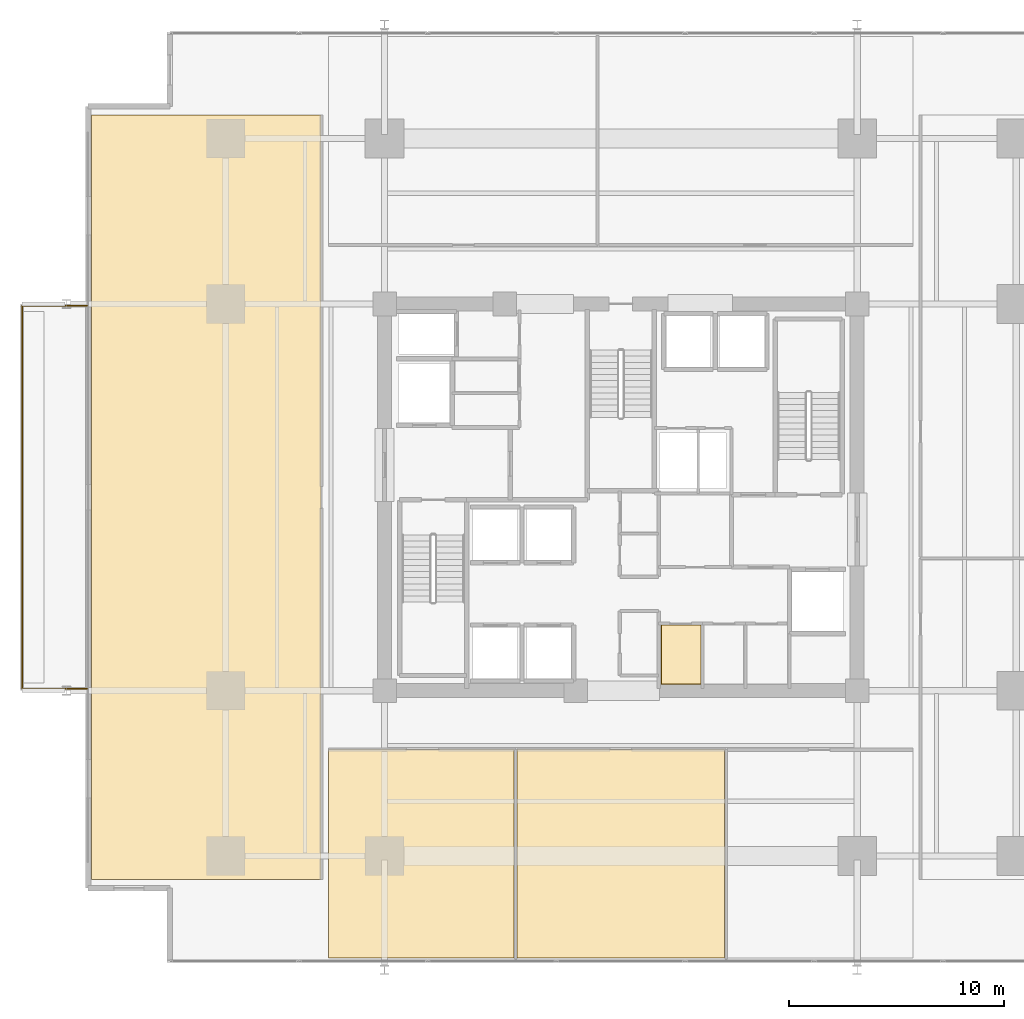
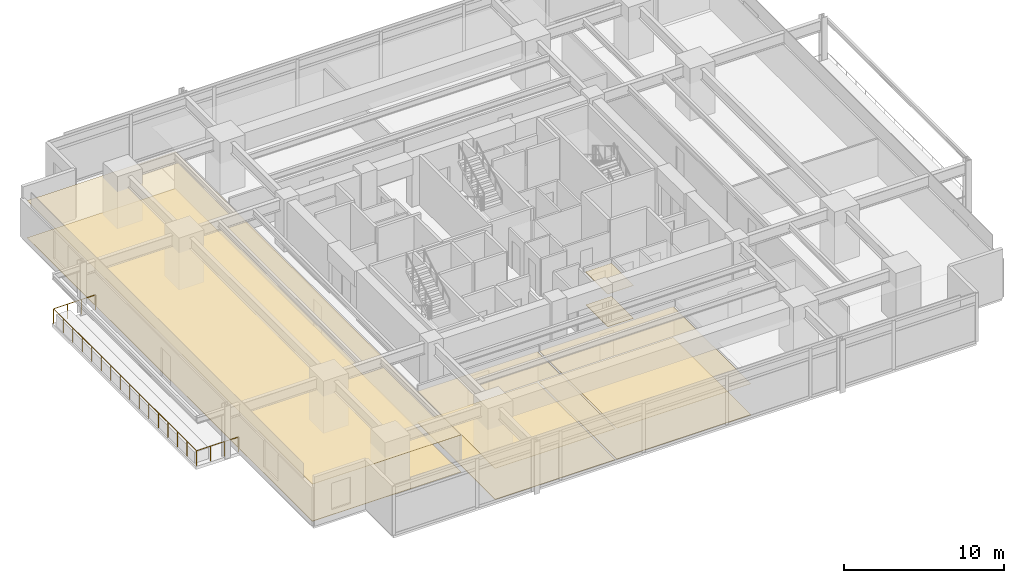
# One storey, part 18 of 21: 8 coverings, 1 railing.
"""IFC4 building model written with IfcOpenShell, lengths in metres."""

from ifc_helpers import new_model, si_unit, direction, frame, origin, origin_2d, place, context, subcontext, project, spatial, polyline, circle, outline, extrude, material, layer, layer_set, type_object, element, save


model = new_model("IFC4")

# Units and contexts
model_context = context("Model", 3, precision=1e-05, world=origin(), true_north=direction((0.0, 1.0)))
body_context = subcontext(model_context, "Body", "Model", "MODEL_VIEW")
ifc_project = project(units=[si_unit("LENGTHUNIT", "METRE"), si_unit("AREAUNIT", "SQUARE_METRE"), si_unit("VOLUMEUNIT", "CUBIC_METRE"), si_unit("PLANEANGLEUNIT", "RADIAN"), si_unit("MASSUNIT", "GRAM", prefix="KILO")], contexts=[model_context])

# Site, building, storey
site_placement = place(None, origin())
site = spatial("IfcSite", under=ifc_project, at=site_placement, CompositionType="ELEMENT")
building_placement = place(site_placement, origin())
building = spatial("IfcBuilding", under=site, at=building_placement, Name="Kovane Verandah Tower", CompositionType="ELEMENT")
storey_placement = place(building_placement, frame((0.0, 0.0, 27.60009765625)))
storey = spatial("IfcBuildingStorey", under=building, at=storey_placement, Name="L05", CompositionType="ELEMENT", Elevation=27.60009765625)

# Coverings
ifc_material_1 = material(Name="Perforated Acoustic Mineral-Fibre Ceiling Tile", Category="gypsum")
ifc_layer_1 = layer(ifc_material_1, 0.02490234375)
ifc_layer_set_1 = layer_set([ifc_layer_1], Name="Perforated Acoustic Mineral-Fibre Ceiling Tile")
covering_type_1 = type_object("IfcCoveringType", Name="CV-CEIL-25", PredefinedType="CEILING", material=ifc_layer_set_1)
covering_1_placement = place(storey_placement, frame((0.0, 0.0, 2.514892578125)))
element("IfcCovering", 1, at=covering_1_placement, inside=storey, type_object=covering_type_1, Name="L05 Mail and Copy Room Acoustic Ceiling", PredefinedType="CEILING", context=body_context, shape_type="SweptSolid", body=[
    extrude(outline(polyline([(41.864990234375, 18.784912109375), (43.735107421875, 18.784912109375), (43.735107421875, 21.56494140625), (41.864990234375, 21.56494140625), (41.864990234375, 18.784912109375)])), origin(), (0.0, 0.0, 1.0), 0.02490234375),
])
covering_2_placement = place(storey_placement, frame((0.0, 0.0, 2.364990234375)))
element("IfcCovering", 2, at=covering_2_placement, inside=storey, type_object=covering_type_1, Name="L05 Client Boardroom S1 Acoustic Ceiling", PredefinedType="CEILING", context=body_context, shape_type="SweptSolid", body=[
    extrude(outline(polyline([(26.39990234375, 6.050048828125), (35.033935546875, 6.050048828125), (35.033935546875, 15.75), (26.39990234375, 15.75), (26.39990234375, 6.050048828125)])), origin(), (0.0, 0.0, 1.0), 0.02490234375),
])
covering_3_placement = place(storey_placement, frame((0.0, 0.0, 2.364990234375)))
element("IfcCovering", 3, at=covering_3_placement, inside=storey, type_object=covering_type_1, Name="L05 Meeting Room S2 Acoustic Ceiling", PredefinedType="CEILING", context=body_context, shape_type="SweptSolid", body=[
    extrude(outline(polyline([(35.174072265625, 6.050048828125), (44.825927734375, 6.050048828125), (44.825927734375, 15.75), (35.174072265625, 15.75), (35.174072265625, 6.050048828125)])), origin(), (0.0, 0.0, 1.0), 0.02490234375),
])
covering_4_placement = place(storey_placement, frame((0.0, 0.0, 2.824951171875)))
element("IfcCovering", 4, at=covering_4_placement, inside=storey, type_object=covering_type_1, Name="L05 Breakout Pantry W1 Acoustic Ceiling", PredefinedType="CEILING", context=body_context, shape_type="SweptSolid", body=[
    extrude(outline(polyline([(15.35009765625, 9.699951171875), (26.050048828125, 9.699951171875), (26.050048828125, 45.300048828125), (15.35009765625, 45.300048828125), (15.35009765625, 9.699951171875)])), origin(), (0.0, 0.0, 1.0), 0.02490234375),
])
ifc_material_2 = material(Name="Polished Terrazzo and Raised-Access Carpet Tile Finish", Category="concrete")
ifc_layer_2 = layer(ifc_material_2, 0.030029296875)
ifc_layer_set_2 = layer_set([ifc_layer_2], Name="Polished Terrazzo and Raised-Access Carpet Tile Finish")
covering_type_2 = type_object("IfcCoveringType", Name="CV-FLOR-30", PredefinedType="FLOORING", material=ifc_layer_set_2)
covering_5_placement = place(storey_placement, origin())
element("IfcCovering", 5, at=covering_5_placement, inside=storey, type_object=covering_type_2, Name="L05 Mail and Copy Room Floor Finish", PredefinedType="FLOORING", context=body_context, shape_type="SweptSolid", body=[
    extrude(outline(polyline([(41.8798828125, 18.800048828125), (43.719970703125, 18.800048828125), (43.719970703125, 21.550048828125), (41.8798828125, 21.550048828125), (41.8798828125, 18.800048828125)])), origin(), (0.0, 0.0, 1.0), 0.02978515625),
])
covering_6_placement = place(storey_placement, origin())
element("IfcCovering", 6, at=covering_6_placement, inside=storey, type_object=covering_type_2, Name="L05 Client Boardroom S1 Floor Finish", PredefinedType="FLOORING", context=body_context, shape_type="SweptSolid", body=[
    extrude(outline(polyline([(26.39990234375, 6.050048828125), (35.033935546875, 6.050048828125), (35.033935546875, 15.75), (26.39990234375, 15.75), (26.39990234375, 6.050048828125)])), origin(), (0.0, 0.0, 1.0), 0.02978515625),
])
covering_7_placement = place(storey_placement, origin())
element("IfcCovering", 7, at=covering_7_placement, inside=storey, type_object=covering_type_2, Name="L05 Meeting Room S2 Floor Finish", PredefinedType="FLOORING", context=body_context, shape_type="SweptSolid", body=[
    extrude(outline(polyline([(35.174072265625, 6.050048828125), (44.825927734375, 6.050048828125), (44.825927734375, 15.75), (35.174072265625, 15.75), (35.174072265625, 6.050048828125)])), origin(), (0.0, 0.0, 1.0), 0.02978515625),
])
covering_8_placement = place(storey_placement, origin())
element("IfcCovering", 8, at=covering_8_placement, inside=storey, type_object=covering_type_2, Name="L05 Breakout Pantry W1 Floor Finish", PredefinedType="FLOORING", context=body_context, shape_type="SweptSolid", body=[
    extrude(outline(polyline([(15.35009765625, 9.699951171875), (26.050048828125, 9.699951171875), (26.050048828125, 45.300048828125), (15.35009765625, 45.300048828125), (15.35009765625, 9.699951171875)])), origin(), (0.0, 0.0, 1.0), 0.02978515625),
])

# Railing
ifc_material_3 = material(Name="Laminated Glass and Pale-Champagne Stainless Balustrade", Category="glass")
railing_type = type_object("IfcRailingType", Name="RL-BAL-1150", PredefinedType="BALUSTRADE", material=ifc_material_3)
railing_placement = place(storey_placement, frame((15.14990234375, 18.580078125, 0.0)))
element("IfcRailing", 9, at=railing_placement, inside=storey, type_object=railing_type, Name="L05 W Verandah Glass Balustrade", PredefinedType="BALUSTRADE", context=body_context, shape_type="SweptSolid", body=[
    extrude(circle(Radius=0.02392578125, at=origin_2d()), frame((0.0, 0.0, 1.1259765625), z_axis=(-1.0, 0.0, 0.0), x_axis=(0.0, -1.0, 0.0)), (0.0, 0.0, 1.0), 3.02001953125),
    extrude(circle(Radius=0.02392578125, at=origin_2d()), frame((-3.02001953125, 0.0, 1.1259765625), z_axis=(0.0, 1.0, 0.0), x_axis=(-1.0, 0.0, 0.0)), (0.0, 0.0, 1.0), 17.83984375),
    extrude(circle(Radius=0.02392578125, at=origin_2d()), frame((-3.02001953125, 17.83984375, 1.1259765625), z_axis=(1.0, 0.0, 0.0), x_axis=(0.0, 1.0, 0.0)), (0.0, 0.0, 1.0), 3.02001953125),
    extrude(circle(Radius=0.02099609375, at=origin_2d()), origin(), (0.0, 0.0, 1.0), 1.101806640625),
    extrude(circle(Radius=0.02099609375, at=origin_2d()), frame((-1.006591796875, 0.0, 0.0)), (0.0, 0.0, 1.0), 1.101806640625),
    extrude(circle(Radius=0.02099609375, at=origin_2d()), frame((-2.013427734375, 0.0, 0.0)), (0.0, 0.0, 1.0), 1.101806640625),
    extrude(circle(Radius=0.02099609375, at=origin_2d()), frame((-3.02001953125, 0.0, 0.0)), (0.0, 0.0, 1.0), 1.101806640625),
    extrude(circle(Radius=0.02099609375, at=origin_2d()), frame((-3.02001953125, 1.189208984375, 0.0)), (0.0, 0.0, 1.0), 1.101806640625),
    extrude(circle(Radius=0.02099609375, at=origin_2d()), frame((-3.02001953125, 2.378662109375, 0.0)), (0.0, 0.0, 1.0), 1.101806640625),
    extrude(circle(Radius=0.02099609375, at=origin_2d()), frame((-3.02001953125, 3.56787109375, 0.0)), (0.0, 0.0, 1.0), 1.101806640625),
    extrude(circle(Radius=0.02099609375, at=origin_2d()), frame((-3.02001953125, 4.75732421875, 0.0)), (0.0, 0.0, 1.0), 1.101806640625),
    extrude(circle(Radius=0.02099609375, at=origin_2d()), frame((-3.02001953125, 5.946533203125, 0.0)), (0.0, 0.0, 1.0), 1.101806640625),
    extrude(circle(Radius=0.02099609375, at=origin_2d()), frame((-3.02001953125, 7.135986328125, 0.0)), (0.0, 0.0, 1.0), 1.101806640625),
    extrude(circle(Radius=0.02099609375, at=origin_2d()), frame((-3.02001953125, 8.3251953125, 0.0)), (0.0, 0.0, 1.0), 1.101806640625),
    extrude(circle(Radius=0.02099609375, at=origin_2d()), frame((-3.02001953125, 9.5146484375, 0.0)), (0.0, 0.0, 1.0), 1.101806640625),
    extrude(circle(Radius=0.02099609375, at=origin_2d()), frame((-3.02001953125, 10.703857421875, 0.0)), (0.0, 0.0, 1.0), 1.101806640625),
    extrude(circle(Radius=0.02099609375, at=origin_2d()), frame((-3.02001953125, 11.893310546875, 0.0)), (0.0, 0.0, 1.0), 1.101806640625),
    extrude(circle(Radius=0.02099609375, at=origin_2d()), frame((-3.02001953125, 13.08251953125, 0.0)), (0.0, 0.0, 1.0), 1.101806640625),
    extrude(circle(Radius=0.02099609375, at=origin_2d()), frame((-3.02001953125, 14.27197265625, 0.0)), (0.0, 0.0, 1.0), 1.101806640625),
    extrude(circle(Radius=0.02099609375, at=origin_2d()), frame((-3.02001953125, 15.461181640625, 0.0)), (0.0, 0.0, 1.0), 1.101806640625),
    extrude(circle(Radius=0.02099609375, at=origin_2d()), frame((-3.02001953125, 16.650634765625, 0.0)), (0.0, 0.0, 1.0), 1.101806640625),
    extrude(circle(Radius=0.02099609375, at=origin_2d()), frame((-3.02001953125, 17.83984375, 0.0)), (0.0, 0.0, 1.0), 1.101806640625),
    extrude(circle(Radius=0.02099609375, at=origin_2d()), frame((-2.013427734375, 17.83984375, 0.0)), (0.0, 0.0, 1.0), 1.101806640625),
    extrude(circle(Radius=0.02099609375, at=origin_2d()), frame((-1.006591796875, 17.83984375, 0.0)), (0.0, 0.0, 1.0), 1.101806640625),
    extrude(circle(Radius=0.02099609375, at=origin_2d()), frame((0.0, 17.83984375, 0.0)), (0.0, 0.0, 1.0), 1.101806640625),
])

save(model, "model.ifc")
